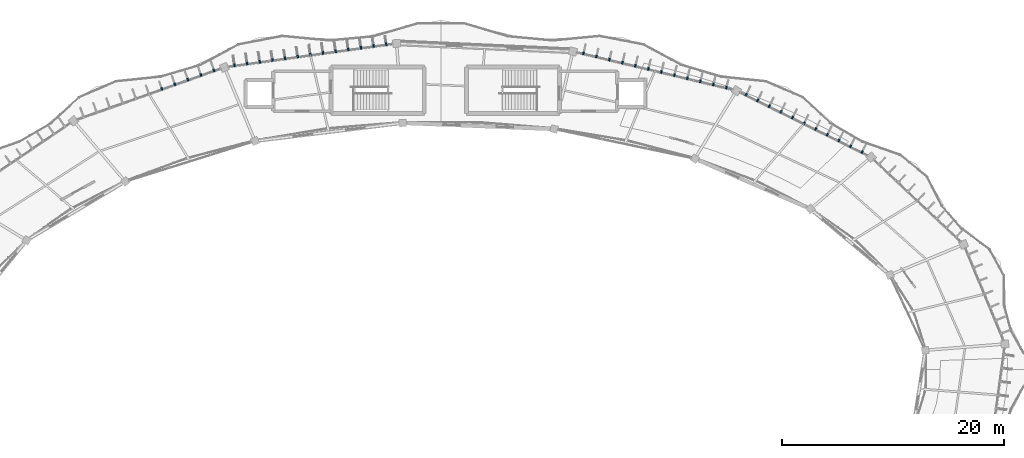
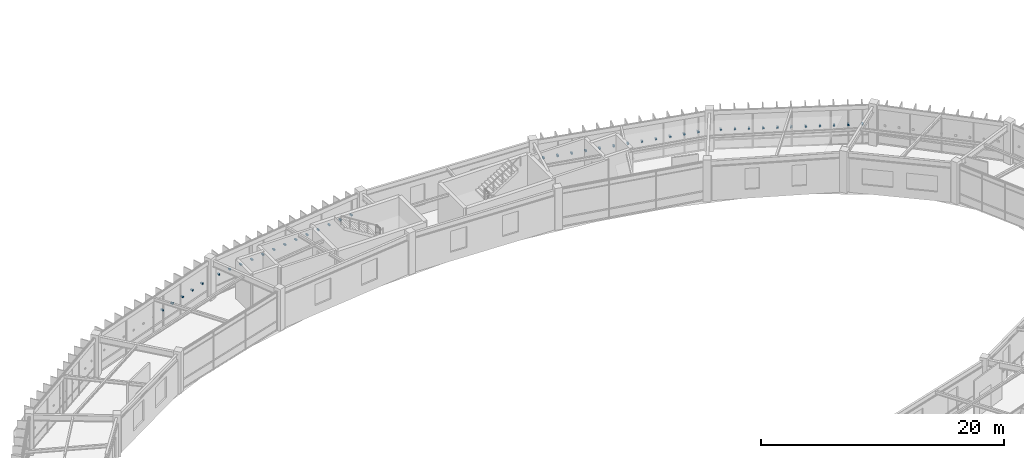
# One storey, part 125 of 138: 41 discrete accessories.
"""IFC4 building model written with IfcOpenShell, lengths in metres."""

from ifc_helpers import new_model, si_unit, direction, frame, origin, origin_2d, place, context, subcontext, project, spatial, rectangle, extrude, material, type_object, element, save


model = new_model("IFC4")

# Units and contexts
model_context = context("Model", 3, precision=1e-05, world=origin(), true_north=direction((0.0, 1.0)))
body_context = subcontext(model_context, "Body", "Model", "MODEL_VIEW")
ifc_project = project(units=[si_unit("LENGTHUNIT", "METRE"), si_unit("AREAUNIT", "SQUARE_METRE"), si_unit("VOLUMEUNIT", "CUBIC_METRE"), si_unit("PLANEANGLEUNIT", "RADIAN"), si_unit("MASSUNIT", "GRAM", prefix="KILO"), si_unit("THERMODYNAMICTEMPERATUREUNIT", "KELVIN"), si_unit("POWERUNIT", "WATT")], contexts=[model_context])

# Site, building, storey
site_placement = place(None, origin())
site = spatial("IfcSite", under=ifc_project, at=site_placement, CompositionType="ELEMENT")
building_placement = place(site_placement, origin())
building = spatial("IfcBuilding", under=site, at=building_placement, Name="Darbajah Civic Hall", CompositionType="ELEMENT")
storey_placement = place(building_placement, frame((0.0, 0.0, 9.60009765625)))
storey = spatial("IfcBuildingStorey", under=building, at=storey_placement, Name="L02", CompositionType="ELEMENT", Elevation=9.60009765625)

# Discrete accessories
ifc_material = material(Name="Stainless Steel S355JR", Category="steel")
discrete_accessory_type = type_object("IfcDiscreteAccessoryType", Name="Stainless Facade Support Bracket", PredefinedType="BRACKET", material=ifc_material)
for number, where, z_axis, x_axis, name in (
    (1, (127.06884765625, 109.4267578125, 1.89013671875), (0.0, 0.0, 1.0), (0.442914717678, 0.89656374724, 0.0), "L02 shading fin bracket 02-1"),
    (2, (126.023193359375, 109.943359375, 1.89013671875), (0.0, 0.0, 1.0), (0.442914717678, 0.89656374724, 0.0), "L02 shading fin bracket 02-2"),
    (3, (124.9775390625, 110.459716796875, 1.89013671875), (0.0, 0.0, 1.0), (0.442914717678, 0.89656374724, 0.0), "L02 shading fin bracket 02-3"),
    (4, (123.931884765625, 110.976318359375, 1.89013671875), (0.0, 0.0, 1.0), (0.442914717678, 0.89656374724, 0.0), "L02 shading fin bracket 02-4"),
    (5, (122.88623046875, 111.492919921875, 1.89013671875), (0.0, 0.0, 1.0), (0.442914717678, 0.89656374724, 0.0), "L02 shading fin bracket 02-5"),
    (6, (121.840576171875, 112.009521484375, 1.89013671875), (0.0, 0.0, 1.0), (0.442914717678, 0.89656374724, 0.0), "L02 shading fin bracket 02-6"),
    (7, (120.794921875, 112.526123046875, 1.89013671875), (0.0, 0.0, 1.0), (0.442914717678, 0.89656374724, 0.0), "L02 shading fin bracket 02-7"),
    (8, (119.749267578125, 113.042724609375, 1.89013671875), (0.0, 0.0, 1.0), (0.442914717678, 0.89656374724, 0.0), "L02 shading fin bracket 02-8"),
    (9, (118.70361328125, 113.559326171875, 1.89013671875), (0.0, 0.0, 1.0), (0.442914717678, 0.89656374724, 0.0), "L02 shading fin bracket 02-9"),
    (10, (117.657958984375, 114.075927734375, 1.89013671875), (0.0, 0.0, 1.0), (0.442914717678, 0.89656374724, 0.0), "L02 shading fin bracket 02-10"),
    (11, (116.6123046875, 114.592529296875, 1.89013671875), (0.0, 0.0, 1.0), (0.442914717678, 0.89656374724, 0.0), "L02 shading fin bracket 02-11"),
    (12, (114.83349609375, 115.233642578125, 1.89013671875), (0.0, 0.0, 1.0), (0.232936200179, 0.972492018808, 0.0), "L02 shading fin bracket 03-1"),
    (13, (113.661865234375, 115.51416015625, 1.89013671875), (0.0, 0.0, 1.0), (0.232936200179, 0.972492018808, 0.0), "L02 shading fin bracket 03-2"),
    (14, (112.490478515625, 115.794921875, 1.89013671875), (0.0, 0.0, 1.0), (0.232936200179, 0.972492018808, 0.0), "L02 shading fin bracket 03-3"),
    (15, (111.319091796875, 116.07568359375, 1.89013671875), (0.0, 0.0, 1.0), (0.232936200179, 0.972492018808, 0.0), "L02 shading fin bracket 03-4"),
    (16, (110.147705078125, 116.356201171875, 1.89013671875), (0.0, 0.0, 1.0), (0.232936200179, 0.972492018808, 0.0), "L02 shading fin bracket 03-5"),
    (17, (108.976318359375, 116.636962890625, 1.89013671875), (0.0, 0.0, 1.0), (0.232936200179, 0.972492018808, 0.0), "L02 shading fin bracket 03-6"),
    (18, (107.8046875, 116.91748046875, 1.89013671875), (0.0, 0.0, 1.0), (0.232936200179, 0.972492018808, 0.0), "L02 shading fin bracket 03-7"),
    (19, (106.63330078125, 117.1982421875, 1.89013671875), (0.0, 0.0, 1.0), (0.232936200179, 0.972492018808, 0.0), "L02 shading fin bracket 03-8"),
    (20, (105.4619140625, 117.47900390625, 1.89013671875), (0.0, 0.0, 1.0), (0.232936200179, 0.972492018808, 0.0), "L02 shading fin bracket 03-9"),
    (21, (104.29052734375, 117.759521484375, 1.89013671875), (0.0, 0.0, 1.0), (0.232936200179, 0.972492018808, 0.0), "L02 shading fin bracket 03-10"),
    (22, (103.119140625, 118.040283203125, 1.89013671875), (0.0, 0.0, 1.0), (0.232936200179, 0.972492018808, 0.0), "L02 shading fin bracket 03-11"),
    (23, (101.94775390625, 118.32080078125, 1.89013671875), (0.0, 0.0, 1.0), (0.232936200179, 0.972492018808, 0.0), "L02 shading fin bracket 03-12"),
    (24, (84.171630859375, 119.14111328125, 1.89013671875), (0.0, 0.0, 1.0), (-0.137617420457, 0.990485459553, 0.0), "L02 shading fin bracket 05-1"),
    (25, (83.031982421875, 118.982666015625, 1.89013671875), (0.0, 0.0, 1.0), (-0.137617420457, 0.990485459553, 0.0), "L02 shading fin bracket 05-2"),
    (26, (81.89208984375, 118.824462890625, 1.89013671875), (0.0, 0.0, 1.0), (-0.137617420457, 0.990485459553, 0.0), "L02 shading fin bracket 05-3"),
    (27, (80.752197265625, 118.666015625, 1.89013671875), (0.0, 0.0, 1.0), (-0.137617420457, 0.990485459553, 0.0), "L02 shading fin bracket 05-4"),
    (28, (79.6123046875, 118.5078125, 1.89013671875), (0.0, 0.0, 1.0), (-0.137617420457, 0.990485459553, 0.0), "L02 shading fin bracket 05-5"),
    (29, (78.472412109375, 118.349609375, 1.89013671875), (0.0, 0.0, 1.0), (-0.137617420457, 0.990485459553, 0.0), "L02 shading fin bracket 05-6"),
    (30, (77.33251953125, 118.191162109375, 1.89013671875), (0.0, 0.0, 1.0), (-0.137617420457, 0.990485459553, 0.0), "L02 shading fin bracket 05-7"),
    (31, (76.192626953125, 118.032958984375, 1.89013671875), (0.0, 0.0, 1.0), (-0.137617420457, 0.990485459553, 0.0), "L02 shading fin bracket 05-8"),
    (32, (75.052978515625, 117.87451171875, 1.89013671875), (0.0, 0.0, 1.0), (-0.137617420457, 0.990485459553, 0.0), "L02 shading fin bracket 05-9"),
    (33, (73.9130859375, 117.71630859375, 1.89013671875), (0.0, 0.0, 1.0), (-0.137617420457, 0.990485459553, 0.0), "L02 shading fin bracket 05-10"),
    (34, (72.773193359375, 117.55810546875, 1.89013671875), (0.0, 0.0, 1.0), (-0.137617420457, 0.990485459553, 0.0), "L02 shading fin bracket 05-11"),
    (35, (71.63330078125, 117.399658203125, 1.89013671875), (0.0, 0.0, 1.0), (-0.137617420457, 0.990485459553, 0.0), "L02 shading fin bracket 05-12"),
    (36, (70.493408203125, 117.241455078125, 1.89013671875), (0.0, 0.0, 1.0), (-0.137617420457, 0.990485459553, 0.0), "L02 shading fin bracket 05-13"),
    (37, (68.64306640625, 116.784912109375, 1.89013671875), (0.0, 0.0, 1.0), (-0.334135882844, 0.94252491309, 0.0), "L02 shading fin bracket 06-1"),
    (38, (67.466552734375, 116.367919921875, 1.89013671875), (0.0, 0.0, 1.0), (-0.334135882844, 0.94252491309, 0.0), "L02 shading fin bracket 06-2"),
    (39, (66.2900390625, 115.95068359375, 1.89013671875), (0.0, 0.0, 1.0), (-0.334135882844, 0.94252491309, 0.0), "L02 shading fin bracket 06-3"),
    (40, (65.113525390625, 115.53369140625, 1.89013671875), (0.0, 0.0, 1.0), (-0.334135882844, 0.94252491309, 0.0), "L02 shading fin bracket 06-4"),
    (41, (63.93701171875, 115.11669921875, 1.89013671875), (0.0, 0.0, 1.0), (-0.334135882844, 0.94252491309, 0.0), "L02 shading fin bracket 06-5"),
):
    element("IfcDiscreteAccessory", number, at=place(storey_placement, frame(where, z_axis=z_axis, x_axis=x_axis)), inside=storey, type_object=discrete_accessory_type, Name=name, PredefinedType="BRACKET", context=body_context, shape_type="SweptSolid", body=[
        extrude(rectangle(XDim=0.260009765625, YDim=0.139892578125, at=origin_2d()), origin(), (0.0, 0.0, 1.0), 0.139892578125),
    ])

save(model, "model.ifc")
